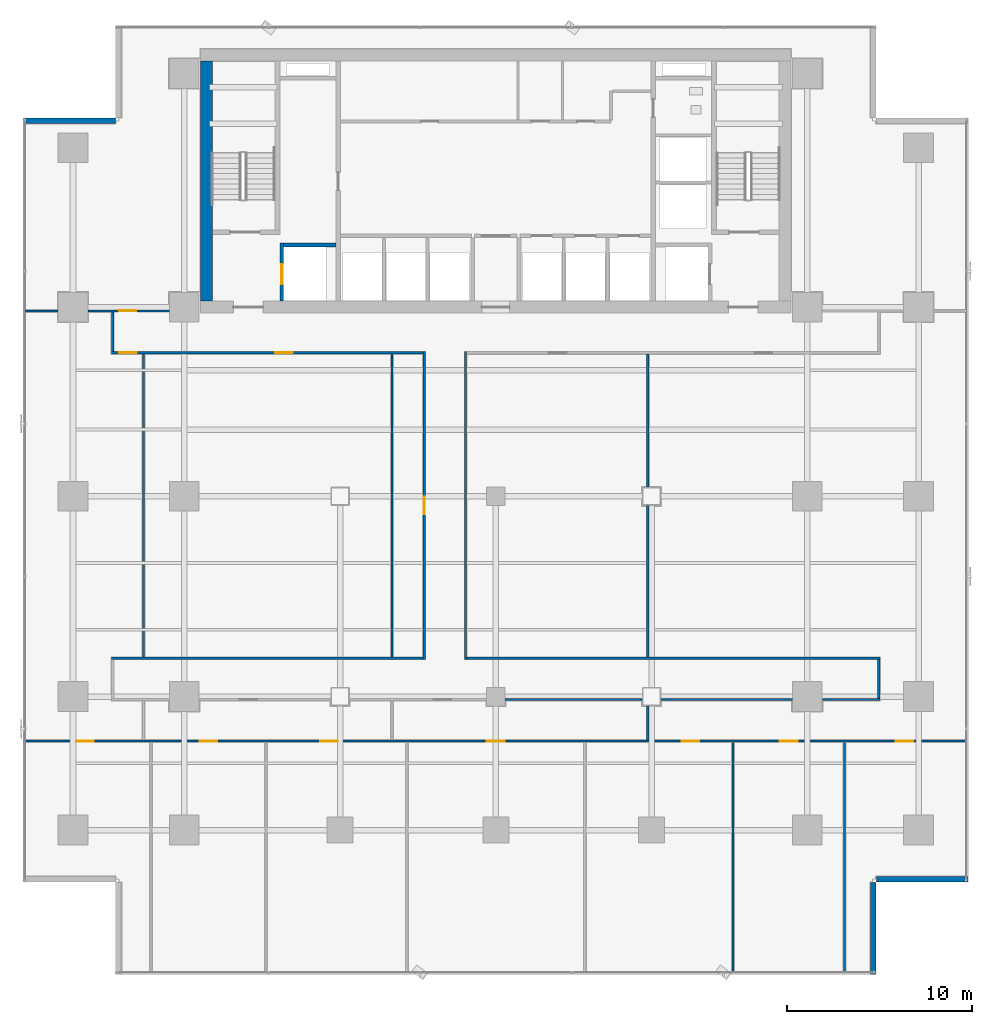
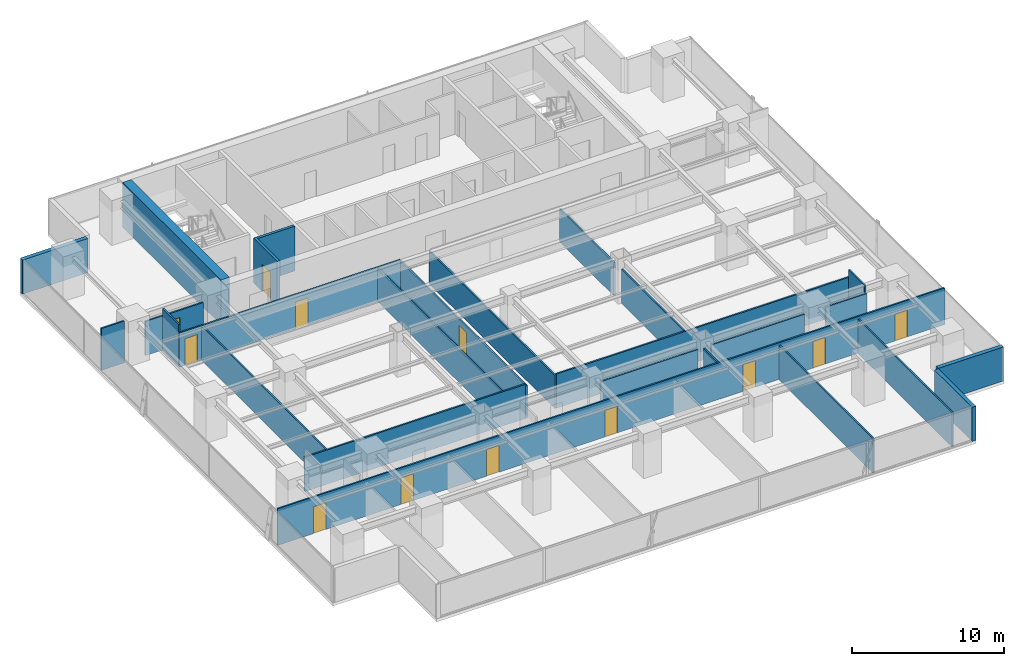
# One storey, part 28 of 37: 26 walls, 12 doors, 12 openings.
"""IFC4 building model written with IfcOpenShell, lengths in metres."""

from ifc_helpers import new_model, si_unit, direction, frame, frame_2d, origin, place, context, subcontext, project, spatial, rectangle, extrude, source, transform, mapped, material, layer, layer_set, type_object, element, fill, save


model = new_model("IFC4")

# Units and contexts
model_context = context("Model", 3, precision=1e-05, world=origin(), true_north=direction((0.0, 1.0)))
body_context = subcontext(model_context, "Body", "Model", "MODEL_VIEW")
ifc_project = project(units=[si_unit("LENGTHUNIT", "METRE"), si_unit("AREAUNIT", "SQUARE_METRE"), si_unit("VOLUMEUNIT", "CUBIC_METRE"), si_unit("PLANEANGLEUNIT", "RADIAN"), si_unit("MASSUNIT", "GRAM", prefix="KILO")], contexts=[model_context])

# Site, building, storey
site_placement = place(None, origin())
site = spatial("IfcSite", under=ifc_project, at=site_placement, CompositionType="ELEMENT")
building_placement = place(site_placement, origin())
building = spatial("IfcBuilding", under=site, at=building_placement, Name="Sumidabori Civic Tower", CompositionType="ELEMENT")
storey_placement = place(building_placement, frame((0.0, 0.0, 81.199951171875)))
storey = spatial("IfcBuildingStorey", under=building, at=storey_placement, Name="L20", CompositionType="ELEMENT", Elevation=81.199951171875)

# Walls
ifc_material_1 = material(Name="Concrete C50/60", Category="concrete")
ifc_layer_1 = layer(ifc_material_1, 0.199951171875, Name="Concrete C50/60")
ifc_layer_set_1 = layer_set([ifc_layer_1], Name="Concrete C50/60")
wall_type_1 = type_object("IfcWallType", Name="WL-SHAFT-200", PredefinedType="SHEAR", material=ifc_layer_set_1)
shared_shape_1 = source(origin(), body_context, "Body", "SweptSolid", [
    extrude(rectangle(XDim=2.824951171875, YDim=0.199951171875, at=frame_2d((1.41259765625, 0.0))), origin(), (0.0, 0.0, 1.0), 3.60009765625),
])
wall_1_placement = place(storey_placement, frame((-11.449951171875, 13.550048828125, 0.0), z_axis=(0.0, 0.0, 1.0), x_axis=(1.0, 0.0, 0.0)))
element("IfcWall", 1, at=wall_1_placement, inside=storey, type_object=wall_type_1, Name="Core Shear Wall L20 EL1-N", PredefinedType="SHEAR", context=body_context, shape_type="MappedRepresentation", body=[
    mapped(shared_shape_1, transform((0.0, 0.0, 0.0), x_axis=(1.0, 0.0, 0.0), y_axis=(0.0, 1.0, 0.0), z_axis=(0.0, 0.0, 1.0), scale=1.0)),
])
ifc_material_2 = material(Name="Concrete C60/75", Category="concrete")
ifc_layer_2 = layer(ifc_material_2, 0.64990234375, Name="Concrete C60/75")
ifc_layer_set_2 = layer_set([ifc_layer_2], Name="Concrete C60/75")
wall_type_2 = type_object("IfcWallType", Name="WL-CORE-650", PredefinedType="SHEAR", material=ifc_layer_set_2)
shared_shape_2 = source(origin(), body_context, "Body", "SweptSolid", [
    extrude(rectangle(XDim=12.9501953125, YDim=0.64990234375, at=frame_2d((6.47509765625, 0.0))), origin(), (0.0, 0.0, 1.0), 3.60009765625),
])
wall_2_placement = place(storey_placement, frame((-15.60009765625, 10.52490234375, 0.0), z_axis=(0.0, 0.0, 1.0), x_axis=(0.0, 1.0, 0.0)))
element("IfcWall", 2, at=wall_2_placement, inside=storey, type_object=wall_type_2, Name="Core Shear Wall L20 W", PredefinedType="SHEAR", context=body_context, shape_type="MappedRepresentation", body=[
    mapped(shared_shape_2, transform((0.0, 0.0, 0.0), x_axis=(1.0, 0.0, 0.0), y_axis=(0.0, 1.0, 0.0), z_axis=(0.0, 0.0, 1.0), scale=1.0)),
])

# Wall, opening, door
shared_shape_3 = source(origin(), body_context, "Body", "SweptSolid", [
    extrude(rectangle(XDim=3.125, YDim=0.199951171875, at=frame_2d((1.5625, 0.0))), origin(), (0.0, 0.0, 1.0), 3.60009765625),
])
wall_3_placement = place(storey_placement, frame((-11.550048828125, 10.52490234375, 0.0), z_axis=(0.0, 0.0, 1.0), x_axis=(0.0, 1.0, 0.0)))
wall_3 = element("IfcWall", 3, at=wall_3_placement, inside=storey, type_object=wall_type_1, Name="Core Shear Wall L20 EL1-W", PredefinedType="SHEAR", context=body_context, shape_type="MappedRepresentation", body=[
    mapped(shared_shape_3, transform((0.0, 0.0, 0.0), x_axis=(1.0, 0.0, 0.0), y_axis=(0.0, 1.0, 0.0), z_axis=(0.0, 0.0, 1.0), scale=1.0)),
])
opening_1_placement = place(wall_3_placement, frame((0.89990234375, 0.0, 0.0)))
opening_1 = element("IfcOpeningElement", 4, at=opening_1_placement, cuts=wall_3, Name="Opening LD-2", PredefinedType="OPENING", context=body_context, shape_type="SweptSolid", body=[
    extrude(rectangle(XDim=1.10009765625, YDim=2.14990234375, at=frame_2d((0.550048828125, 1.074951171875))), frame((0.0, 0.11181640625, 0.0), z_axis=(0.0, -1.0, 0.0), x_axis=(1.0, 0.0, 0.0)), (0.0, 0.0, 1.0), 0.223876953125),
])
ifc_material_3 = material(Name="Stainless Steel Hairline Finish", Category="steel")
door_type_1 = type_object("IfcDoorType", Name="DR-LD2", OperationType="DOUBLE_DOOR_SLIDING", PredefinedType="DOOR", material=ifc_material_3)
shared_shape_4 = source(origin(), body_context, "Body", "SweptSolid", [
    extrude(rectangle(XDim=1.10009765625, YDim=2.14990234375, at=frame_2d((0.550048828125, 1.074951171875))), frame((0.0, 0.02490234375, 0.0), z_axis=(0.0, -1.0, 0.0), x_axis=(1.0, 0.0, 0.0)), (0.0, 0.0, 1.0), 0.050048828125),
])
door_1_placement = place(opening_1_placement, origin())
door_1 = element("IfcDoor", 5, at=door_1_placement, inside=storey, type_object=door_type_1, Name="Door DR:L20:LD-EL1", OperationType="DOUBLE_DOOR_SLIDING", OverallHeight=2.14990234375, OverallWidth=1.10009765625, PredefinedType="DOOR", context=body_context, shape_type="MappedRepresentation", body=[
    mapped(shared_shape_4, transform((0.0, 0.0, 0.0), x_axis=(1.0, 0.0, 0.0), y_axis=(0.0, 1.0, 0.0), z_axis=(0.0, 0.0, 1.0), scale=1.0)),
])
fill(opening_1, door_1)

# Walls
ifc_material_4 = material(Name="Precast concrete C40/50", Category="concrete")
ifc_layer_3 = layer(ifc_material_4, 0.300048828125, Name="Precast concrete C40/50")
ifc_layer_set_3 = layer_set([ifc_layer_3], Name="Precast concrete C40/50")
wall_type_3 = type_object("IfcWallType", Name="WL-EXT-POD300", PredefinedType="STANDARD", material=ifc_layer_set_3)
shared_shape_5 = source(origin(), body_context, "Body", "SweptSolid", [
    extrude(rectangle(XDim=4.9599609375, YDim=0.300048828125, at=frame_2d((2.47998046875, 0.0))), origin(), (0.0, 0.0, 1.0), 2.739990234375),
])
for number, where, z_axis, x_axis, name in (
    (6, (20.35009765625, -25.780029296875, 0.0), (0.0, 0.0, 1.0), (0.0, 1.0, 0.0), "Notched Corner Spandrel Band L20-02"),
    (7, (20.52001953125, -20.64990234375, 0.0), (0.0, 0.0, 1.0), (1.0, 0.0, 0.0), "Notched Corner Spandrel Band L20-03"),
    (8, (-20.52001953125, 20.25, 0.0), (0.0, 0.0, 1.0), (-1.0, 0.0, 0.0), "Notched Corner Spandrel Band L20-09"),
):
    element("IfcWall", number, at=place(storey_placement, frame(where, z_axis=z_axis, x_axis=x_axis)), inside=storey, type_object=wall_type_3, Name=name, PredefinedType="STANDARD", context=body_context, shape_type="MappedRepresentation", body=[
        mapped(shared_shape_5, transform((0.0, 0.0, 0.0), x_axis=(1.0, 0.0, 0.0), y_axis=(0.0, 1.0, 0.0), z_axis=(0.0, 0.0, 1.0), scale=1.0)),
    ])
ifc_material_5 = material(Name="Gypsum Plasterboard Acoustic Partition")
ifc_layer_4 = layer(ifc_material_5, 0.1201171875, Name="Gypsum Plasterboard Acoustic Partition")
ifc_layer_set_4 = layer_set([ifc_layer_4], Name="Gypsum Plasterboard Acoustic Partition")
wall_type_4 = type_object("IfcWallType", Name="WL-PART-120", PredefinedType="PARTITIONING", material=ifc_layer_set_4)
shared_shape_6 = source(origin(), body_context, "Body", "SweptSolid", [
    extrude(rectangle(XDim=1.739990234375, YDim=0.1201171875, at=frame_2d((0.8701171875, 0.0))), origin(), (0.0, 0.0, 1.0), 3.360107421875),
])
wall_4_placement = place(storey_placement, frame((-25.35009765625, 10.0, 0.0), z_axis=(0.0, 0.0, 1.0), x_axis=(1.0, 0.0, 0.0)))
element("IfcWall", 9, at=wall_4_placement, inside=storey, type_object=wall_type_4, Name="Interior Partition WL:L20:FLK-NW-1", PredefinedType="PARTITIONING", context=body_context, shape_type="MappedRepresentation", body=[
    mapped(shared_shape_6, transform((0.0, 0.0, 0.0), x_axis=(1.0, 0.0, 0.0), y_axis=(0.0, 1.0, 0.0), z_axis=(0.0, 0.0, 1.0), scale=1.0)),
])

# Wall, opening, door
shared_shape_7 = source(origin(), body_context, "Body", "SweptSolid", [
    extrude(rectangle(XDim=4.3798828125, YDim=0.1201171875, at=frame_2d((2.18994140625, 0.0))), origin(), (0.0, 0.0, 1.0), 2.7451171875),
])
wall_5_placement = place(storey_placement, frame((-21.989990234375, 10.0, 0.0), z_axis=(0.0, 0.0, 1.0), x_axis=(1.0, 0.0, 0.0)))
wall_5 = element("IfcWall", 10, at=wall_5_placement, inside=storey, type_object=wall_type_4, Name="Interior Partition WL:L20:FLK-NW-2", PredefinedType="PARTITIONING", context=body_context, shape_type="MappedRepresentation", body=[
    mapped(shared_shape_7, transform((0.0, 0.0, 0.0), x_axis=(1.0, 0.0, 0.0), y_axis=(0.0, 1.0, 0.0), z_axis=(0.0, 0.0, 1.0), scale=1.0)),
])
opening_2_placement = place(wall_5_placement, frame((1.695068359375, 0.0, 0.0)))
opening_2 = element("IfcOpeningElement", 11, at=opening_2_placement, cuts=wall_5, Name="Opening DR-1", PredefinedType="OPENING", context=body_context, shape_type="SweptSolid", body=[
    extrude(rectangle(XDim=0.89990234375, YDim=2.14990234375, at=frame_2d((0.449951171875, 1.074951171875))), frame((0.0, 0.072021484375, 0.0), z_axis=(0.0, -1.0, 0.0), x_axis=(1.0, 0.0, 0.0)), (0.0, 0.0, 1.0), 0.14404296875),
])
ifc_material_6 = material(Name="Japanese Hinoki Timber", Category="wood")
door_type_2 = type_object("IfcDoorType", Name="DR-INT-900", OperationType="NOTDEFINED", PredefinedType="DOOR", material=ifc_material_6)
shared_shape_8 = source(origin(), body_context, "Body", "SweptSolid", [
    extrude(rectangle(XDim=0.89990234375, YDim=2.14990234375, at=frame_2d((0.449951171875, 1.074951171875))), frame((0.0, 0.02490234375, 0.0), z_axis=(0.0, -1.0, 0.0), x_axis=(1.0, 0.0, 0.0)), (0.0, 0.0, 1.0), 0.050048828125),
])
door_2_placement = place(opening_2_placement, origin())
door_2 = element("IfcDoor", 12, at=door_2_placement, inside=storey, type_object=door_type_2, Name="Door DR:L20:FLK-NE", OperationType="SINGLE_SWING_LEFT", OverallHeight=2.14990234375, OverallWidth=0.89990234375, PredefinedType="DOOR", context=body_context, shape_type="MappedRepresentation", body=[
    mapped(shared_shape_8, transform((0.0, 0.0, 0.0), x_axis=(1.0, 0.0, 0.0), y_axis=(0.0, 1.0, 0.0), z_axis=(0.0, 0.0, 1.0), scale=1.0)),
])
fill(opening_2, door_2)

# Wall, openings, doors
shared_shape_9 = source(origin(), body_context, "Body", "SweptSolid", [
    extrude(rectangle(XDim=16.800048828125, YDim=0.1201171875, at=frame_2d((8.39990234375, 0.0))), origin(), (0.0, 0.0, 1.0), 2.7451171875),
])
wall_6_placement = place(storey_placement, frame((-20.719970703125, 7.739990234375, 0.0), z_axis=(0.0, 0.0, 1.0), x_axis=(1.0, 0.0, 0.0)))
wall_6 = element("IfcWall", 13, at=wall_6_placement, inside=storey, type_object=wall_type_4, Name="Interior Partition WL:L20:CORR-SW", PredefinedType="PARTITIONING", context=body_context, shape_type="MappedRepresentation", body=[
    mapped(shared_shape_9, transform((0.0, 0.0, 0.0), x_axis=(1.0, 0.0, 0.0), y_axis=(0.0, 1.0, 0.0), z_axis=(0.0, 0.0, 1.0), scale=1.0)),
])
opening_3_placement = place(wall_6_placement, frame((8.824951171875, 0.0, 0.0)))
opening_3 = element("IfcOpeningElement", 14, at=opening_3_placement, cuts=wall_6, Name="Opening DR-2", PredefinedType="OPENING", context=body_context, shape_type="SweptSolid", body=[
    extrude(rectangle(XDim=0.949951171875, YDim=2.14990234375, at=frame_2d((0.47509765625, 1.074951171875))), frame((0.0, 0.072021484375, 0.0), z_axis=(0.0, -1.0, 0.0), x_axis=(1.0, 0.0, 0.0)), (0.0, 0.0, 1.0), 0.14404296875),
])
opening_4_placement = place(wall_6_placement, frame((0.4150390625, 0.0, 0.0)))
opening_4 = element("IfcOpeningElement", 15, at=opening_4_placement, cuts=wall_6, Name="Opening DR-2", PredefinedType="OPENING", context=body_context, shape_type="SweptSolid", body=[
    extrude(rectangle(XDim=0.949951171875, YDim=2.14990234375, at=frame_2d((0.47509765625, 1.074951171875))), frame((0.0, 0.072021484375, 0.0), z_axis=(0.0, -1.0, 0.0), x_axis=(1.0, 0.0, 0.0)), (0.0, 0.0, 1.0), 0.14404296875),
])
door_type_3 = type_object("IfcDoorType", Name="DR-INT-950", OperationType="NOTDEFINED", PredefinedType="DOOR", material=ifc_material_6)
shared_shape_10 = source(origin(), body_context, "Body", "SweptSolid", [
    extrude(rectangle(XDim=0.949951171875, YDim=2.14990234375, at=frame_2d((0.47509765625, 1.074951171875))), frame((0.0, 0.02490234375, 0.0), z_axis=(0.0, -1.0, 0.0), x_axis=(1.0, 0.0, 0.0)), (0.0, 0.0, 1.0), 0.050048828125),
])
door_3_placement = place(opening_3_placement, origin())
door_3 = element("IfcDoor", 16, at=door_3_placement, inside=storey, type_object=door_type_3, Name="Door DR:L20:D02", OperationType="SINGLE_SWING_RIGHT", OverallHeight=2.14990234375, OverallWidth=0.949951171875, PredefinedType="DOOR", context=body_context, shape_type="MappedRepresentation", body=[
    mapped(shared_shape_10, transform((0.0, 0.0, 0.0), x_axis=(1.0, 0.0, 0.0), y_axis=(0.0, 1.0, 0.0), z_axis=(0.0, 0.0, 1.0), scale=1.0)),
])
fill(opening_3, door_3)
door_4_placement = place(opening_4_placement, origin())
door_4 = element("IfcDoor", 17, at=door_4_placement, inside=storey, type_object=door_type_3, Name="Door DR:L20:D05", OperationType="SINGLE_SWING_LEFT", OverallHeight=2.14990234375, OverallWidth=0.949951171875, PredefinedType="DOOR", context=body_context, shape_type="MappedRepresentation", body=[
    mapped(shared_shape_10, transform((0.0, 0.0, 0.0), x_axis=(1.0, 0.0, 0.0), y_axis=(0.0, 1.0, 0.0), z_axis=(0.0, 0.0, 1.0), scale=1.0)),
])
fill(opening_4, door_4)

# Walls
wall_7_placement = place(storey_placement, frame((-20.719970703125, -8.739990234375, 0.0), z_axis=(0.0, 0.0, 1.0), x_axis=(1.0, 0.0, 0.0)))
element("IfcWall", 18, at=wall_7_placement, inside=storey, type_object=wall_type_4, Name="Interior Partition WL:L20:CORR-MNW", PredefinedType="PARTITIONING", context=body_context, shape_type="MappedRepresentation", body=[
    mapped(shared_shape_9, transform((0.0, 0.0, 0.0), x_axis=(1.0, 0.0, 0.0), y_axis=(0.0, 1.0, 0.0), z_axis=(0.0, 0.0, 1.0), scale=1.0)),
])
shared_shape_11 = source(origin(), body_context, "Body", "SweptSolid", [
    extrude(rectangle(XDim=22.300048828125, YDim=0.1201171875, at=frame_2d((11.14990234375, 0.0))), origin(), (0.0, 0.0, 1.0), 2.7451171875),
])
wall_8_placement = place(storey_placement, frame((-1.580078125, -8.739990234375, 0.0), z_axis=(0.0, 0.0, 1.0), x_axis=(1.0, 0.0, 0.0)))
element("IfcWall", 19, at=wall_8_placement, inside=storey, type_object=wall_type_4, Name="Interior Partition WL:L20:CORR-MNE", PredefinedType="PARTITIONING", context=body_context, shape_type="MappedRepresentation", body=[
    mapped(shared_shape_11, transform((0.0, 0.0, 0.0), x_axis=(1.0, 0.0, 0.0), y_axis=(0.0, 1.0, 0.0), z_axis=(0.0, 0.0, 1.0), scale=1.0)),
])
shared_shape_12 = source(origin(), body_context, "Body", "SweptSolid", [
    extrude(rectangle(XDim=3.10986328125, YDim=0.1201171875, at=frame_2d((1.554931640625, 0.0))), origin(), (0.0, 0.0, 1.0), 2.7451171875),
])
wall_9_placement = place(storey_placement, frame((17.610107421875, -10.9599609375, 0.0), z_axis=(0.0, 0.0, 1.0), x_axis=(1.0, 0.0, 0.0)))
element("IfcWall", 20, at=wall_9_placement, inside=storey, type_object=wall_type_4, Name="Interior Partition WL:L20:CORR-SS-6", PredefinedType="PARTITIONING", context=body_context, shape_type="MappedRepresentation", body=[
    mapped(shared_shape_12, transform((0.0, 0.0, 0.0), x_axis=(1.0, 0.0, 0.0), y_axis=(0.0, 1.0, 0.0), z_axis=(0.0, 0.0, 1.0), scale=1.0)),
])
shared_shape_13 = source(origin(), body_context, "Body", "SweptSolid", [
    extrude(rectangle(XDim=7.080078125, YDim=0.1201171875, at=frame_2d((3.5400390625, 0.0))), origin(), (0.0, 0.0, 1.0), 2.7451171875),
])
wall_10_placement = place(storey_placement, frame((8.909912109375, -10.9599609375, 0.0), z_axis=(0.0, 0.0, 1.0), x_axis=(1.0, 0.0, 0.0)))
element("IfcWall", 21, at=wall_10_placement, inside=storey, type_object=wall_type_4, Name="Interior Partition WL:L20:CORR-SS-5", PredefinedType="PARTITIONING", context=body_context, shape_type="MappedRepresentation", body=[
    mapped(shared_shape_13, transform((0.0, 0.0, 0.0), x_axis=(1.0, 0.0, 0.0), y_axis=(0.0, 1.0, 0.0), z_axis=(0.0, 0.0, 1.0), scale=1.0)),
])
shared_shape_14 = source(origin(), body_context, "Body", "SweptSolid", [
    extrude(rectangle(XDim=7.3798828125, YDim=0.1201171875, at=frame_2d((3.68994140625, 0.0))), origin(), (0.0, 0.0, 1.0), 2.7451171875),
])
wall_11_placement = place(storey_placement, frame((0.510009765625, -10.9599609375, 0.0), z_axis=(0.0, 0.0, 1.0), x_axis=(1.0, 0.0, 0.0)))
element("IfcWall", 22, at=wall_11_placement, inside=storey, type_object=wall_type_4, Name="Interior Partition WL:L20:CORR-SS-4", PredefinedType="PARTITIONING", context=body_context, shape_type="MappedRepresentation", body=[
    mapped(shared_shape_14, transform((0.0, 0.0, 0.0), x_axis=(1.0, 0.0, 0.0), y_axis=(0.0, 1.0, 0.0), z_axis=(0.0, 0.0, 1.0), scale=1.0)),
])
shared_shape_15 = source(origin(), body_context, "Body", "SweptSolid", [
    extrude(rectangle(XDim=2.130126953125, YDim=0.1201171875, at=frame_2d((1.06494140625, 0.0))), origin(), (0.0, 0.0, 1.0), 3.360107421875),
])
wall_12_placement = place(storey_placement, frame((-20.659912109375, 7.804931640625, 0.0), z_axis=(0.0, 0.0, 1.0), x_axis=(0.0, 1.0, 0.0)))
element("IfcWall", 23, at=wall_12_placement, inside=storey, type_object=wall_type_4, Name="Interior Partition WL:L20:CORR-VNW", PredefinedType="PARTITIONING", context=body_context, shape_type="MappedRepresentation", body=[
    mapped(shared_shape_15, transform((0.0, 0.0, 0.0), x_axis=(1.0, 0.0, 0.0), y_axis=(0.0, 1.0, 0.0), z_axis=(0.0, 0.0, 1.0), scale=1.0)),
])

# Wall, opening, door
shared_shape_16 = source(origin(), body_context, "Body", "SweptSolid", [
    extrude(rectangle(XDim=16.60009765625, YDim=0.1201171875, at=frame_2d((8.300048828125, 0.0))), origin(), (0.0, 0.0, 1.0), 2.64501953125),
])
wall_13_placement = place(storey_placement, frame((-3.860107421875, -8.800048828125, 0.0), z_axis=(0.0, 0.0, 1.0), x_axis=(0.0, 1.0, 0.0)))
wall_13 = element("IfcWall", 24, at=wall_13_placement, inside=storey, type_object=wall_type_4, Name="Interior Partition WL:L20:CORR-VSP-W", PredefinedType="PARTITIONING", context=body_context, shape_type="MappedRepresentation", body=[
    mapped(shared_shape_16, transform((0.0, 0.0, 0.0), x_axis=(1.0, 0.0, 0.0), y_axis=(0.0, 1.0, 0.0), z_axis=(0.0, 0.0, 1.0), scale=1.0)),
])
opening_5_placement = place(wall_13_placement, frame((7.824951171875, 0.0, 0.0)))
opening_5 = element("IfcOpeningElement", 25, at=opening_5_placement, cuts=wall_13, Name="Opening DR-2", PredefinedType="OPENING", context=body_context, shape_type="SweptSolid", body=[
    extrude(rectangle(XDim=0.949951171875, YDim=2.14990234375, at=frame_2d((0.47509765625, 1.074951171875))), frame((0.0, 0.072021484375, 0.0), z_axis=(0.0, -1.0, 0.0), x_axis=(1.0, 0.0, 0.0)), (0.0, 0.0, 1.0), 0.14404296875),
])
door_5_placement = place(opening_5_placement, origin())
door_5 = element("IfcDoor", 26, at=door_5_placement, inside=storey, type_object=door_type_3, Name="Door DR:L20:D03", OperationType="SINGLE_SWING_LEFT", OverallHeight=2.14990234375, OverallWidth=0.949951171875, PredefinedType="DOOR", context=body_context, shape_type="MappedRepresentation", body=[
    mapped(shared_shape_10, transform((0.0, 0.0, 0.0), x_axis=(1.0, 0.0, 0.0), y_axis=(0.0, 1.0, 0.0), z_axis=(0.0, 0.0, 1.0), scale=1.0)),
])
fill(opening_5, door_5)

# Walls
wall_14_placement = place(storey_placement, frame((-1.639892578125, -8.800048828125, 0.0), z_axis=(0.0, 0.0, 1.0), x_axis=(0.0, 1.0, 0.0)))
element("IfcWall", 27, at=wall_14_placement, inside=storey, type_object=wall_type_4, Name="Interior Partition WL:L20:CORR-VSP-E", PredefinedType="PARTITIONING", context=body_context, shape_type="MappedRepresentation", body=[
    mapped(shared_shape_16, transform((0.0, 0.0, 0.0), x_axis=(1.0, 0.0, 0.0), y_axis=(0.0, 1.0, 0.0), z_axis=(0.0, 0.0, 1.0), scale=1.0)),
])
shared_shape_17 = source(origin(), body_context, "Body", "SweptSolid", [
    extrude(rectangle(XDim=2.090087890625, YDim=0.1201171875, at=frame_2d((1.044921875, 0.0))), origin(), (0.0, 0.0, 1.0), 3.360107421875),
])
wall_15_placement = place(storey_placement, frame((20.659912109375, -10.89501953125, 0.0), z_axis=(0.0, 0.0, 1.0), x_axis=(0.0, 1.0, 0.0)))
element("IfcWall", 28, at=wall_15_placement, inside=storey, type_object=wall_type_4, Name="Interior Partition WL:L20:CORR-VSE", PredefinedType="PARTITIONING", context=body_context, shape_type="MappedRepresentation", body=[
    mapped(shared_shape_17, transform((0.0, 0.0, 0.0), x_axis=(1.0, 0.0, 0.0), y_axis=(0.0, 1.0, 0.0), z_axis=(0.0, 0.0, 1.0), scale=1.0)),
])

# Wall, openings, doors
shared_shape_18 = source(origin(), body_context, "Body", "SweptSolid", [
    extrude(rectangle(XDim=50.7001953125, YDim=0.1201171875, at=frame_2d((25.35009765625, 0.0))), origin(), (0.0, 0.0, 1.0), 2.945068359375),
])
wall_16_placement = place(storey_placement, frame((-25.35009765625, -13.199951171875, 0.0), z_axis=(0.0, 0.0, 1.0), x_axis=(1.0, 0.0, 0.0)))
wall_16 = element("IfcWall", 29, at=wall_16_placement, inside=storey, type_object=wall_type_4, Name="Interior Partition WL:L20:BAND-Y", PredefinedType="PARTITIONING", context=body_context, shape_type="MappedRepresentation", body=[
    mapped(shared_shape_18, transform((0.0, 0.0, 0.0), x_axis=(1.0, 0.0, 0.0), y_axis=(0.0, 1.0, 0.0), z_axis=(0.0, 0.0, 1.0), scale=1.0)),
])
opening_6_placement = place(wall_16_placement, frame((46.919921875, 0.0, 0.0)))
opening_6 = element("IfcOpeningElement", 30, at=opening_6_placement, cuts=wall_16, Name="Opening DR-2", PredefinedType="OPENING", context=body_context, shape_type="SweptSolid", body=[
    extrude(rectangle(XDim=0.949951171875, YDim=2.14990234375, at=frame_2d((0.47509765625, 1.074951171875))), frame((0.0, 0.072021484375, 0.0), z_axis=(0.0, -1.0, 0.0), x_axis=(1.0, 0.0, 0.0)), (0.0, 0.0, 1.0), 0.14404296875),
])
opening_7_placement = place(wall_16_placement, frame((2.72998046875, 0.0, 0.0)))
opening_7 = element("IfcOpeningElement", 31, at=opening_7_placement, cuts=wall_16, Name="Opening DR-2", PredefinedType="OPENING", context=body_context, shape_type="SweptSolid", body=[
    extrude(rectangle(XDim=0.949951171875, YDim=2.14990234375, at=frame_2d((0.47509765625, 1.074951171875))), frame((0.0, 0.072021484375, 0.0), z_axis=(0.0, -1.0, 0.0), x_axis=(1.0, 0.0, 0.0)), (0.0, 0.0, 1.0), 0.14404296875),
])
opening_8_placement = place(wall_16_placement, frame((9.375, 0.0, 0.0)))
opening_8 = element("IfcOpeningElement", 32, at=opening_8_placement, cuts=wall_16, Name="Opening DR-2", PredefinedType="OPENING", context=body_context, shape_type="SweptSolid", body=[
    extrude(rectangle(XDim=0.949951171875, YDim=2.14990234375, at=frame_2d((0.47509765625, 1.074951171875))), frame((0.0, 0.072021484375, 0.0), z_axis=(0.0, -1.0, 0.0), x_axis=(1.0, 0.0, 0.0)), (0.0, 0.0, 1.0), 0.14404296875),
])
opening_9_placement = place(wall_16_placement, frame((15.875, 0.0, 0.0)))
opening_9 = element("IfcOpeningElement", 33, at=opening_9_placement, cuts=wall_16, Name="Opening DR-2", PredefinedType="OPENING", context=body_context, shape_type="SweptSolid", body=[
    extrude(rectangle(XDim=0.949951171875, YDim=2.14990234375, at=frame_2d((0.47509765625, 1.074951171875))), frame((0.0, 0.072021484375, 0.0), z_axis=(0.0, -1.0, 0.0), x_axis=(1.0, 0.0, 0.0)), (0.0, 0.0, 1.0), 0.14404296875),
])
opening_10_placement = place(wall_16_placement, frame((24.875, 0.0, 0.0)))
opening_10 = element("IfcOpeningElement", 34, at=opening_10_placement, cuts=wall_16, Name="Opening DR-2", PredefinedType="OPENING", context=body_context, shape_type="SweptSolid", body=[
    extrude(rectangle(XDim=0.949951171875, YDim=2.14990234375, at=frame_2d((0.47509765625, 1.074951171875))), frame((0.0, 0.072021484375, 0.0), z_axis=(0.0, -1.0, 0.0), x_axis=(1.0, 0.0, 0.0)), (0.0, 0.0, 1.0), 0.14404296875),
])
opening_11_placement = place(wall_16_placement, frame((35.375, 0.0, 0.0)))
opening_11 = element("IfcOpeningElement", 35, at=opening_11_placement, cuts=wall_16, Name="Opening DR-2", PredefinedType="OPENING", context=body_context, shape_type="SweptSolid", body=[
    extrude(rectangle(XDim=0.949951171875, YDim=2.14990234375, at=frame_2d((0.47509765625, 1.074951171875))), frame((0.0, 0.072021484375, 0.0), z_axis=(0.0, -1.0, 0.0), x_axis=(1.0, 0.0, 0.0)), (0.0, 0.0, 1.0), 0.14404296875),
])
opening_12_placement = place(wall_16_placement, frame((40.675048828125, 0.0, 0.0)))
opening_12 = element("IfcOpeningElement", 36, at=opening_12_placement, cuts=wall_16, Name="Opening DR-2", PredefinedType="OPENING", context=body_context, shape_type="SweptSolid", body=[
    extrude(rectangle(XDim=0.949951171875, YDim=2.14990234375, at=frame_2d((0.47509765625, 1.074951171875))), frame((0.0, 0.072021484375, 0.0), z_axis=(0.0, -1.0, 0.0), x_axis=(1.0, 0.0, 0.0)), (0.0, 0.0, 1.0), 0.14404296875),
])
door_6_placement = place(opening_6_placement, origin())
door_6 = element("IfcDoor", 37, at=door_6_placement, inside=storey, type_object=door_type_3, Name="Door DR:L20:D09", OperationType="SINGLE_SWING_LEFT", OverallHeight=2.14990234375, OverallWidth=0.949951171875, PredefinedType="DOOR", context=body_context, shape_type="MappedRepresentation", body=[
    mapped(shared_shape_10, transform((0.0, 0.0, 0.0), x_axis=(1.0, 0.0, 0.0), y_axis=(0.0, 1.0, 0.0), z_axis=(0.0, 0.0, 1.0), scale=1.0)),
])
fill(opening_6, door_6)
door_7_placement = place(opening_7_placement, origin())
door_7 = element("IfcDoor", 38, at=door_7_placement, inside=storey, type_object=door_type_3, Name="Door DR:L20:D10", OperationType="SINGLE_SWING_RIGHT", OverallHeight=2.14990234375, OverallWidth=0.949951171875, PredefinedType="DOOR", context=body_context, shape_type="MappedRepresentation", body=[
    mapped(shared_shape_10, transform((0.0, 0.0, 0.0), x_axis=(1.0, 0.0, 0.0), y_axis=(0.0, 1.0, 0.0), z_axis=(0.0, 0.0, 1.0), scale=1.0)),
])
fill(opening_7, door_7)
door_8_placement = place(opening_8_placement, origin())
door_8 = element("IfcDoor", 39, at=door_8_placement, inside=storey, type_object=door_type_3, Name="Door DR:L20:D11", OperationType="SINGLE_SWING_LEFT", OverallHeight=2.14990234375, OverallWidth=0.949951171875, PredefinedType="DOOR", context=body_context, shape_type="MappedRepresentation", body=[
    mapped(shared_shape_10, transform((0.0, 0.0, 0.0), x_axis=(1.0, 0.0, 0.0), y_axis=(0.0, 1.0, 0.0), z_axis=(0.0, 0.0, 1.0), scale=1.0)),
])
fill(opening_8, door_8)
door_9_placement = place(opening_9_placement, origin())
door_9 = element("IfcDoor", 40, at=door_9_placement, inside=storey, type_object=door_type_3, Name="Door DR:L20:D12", OperationType="SINGLE_SWING_RIGHT", OverallHeight=2.14990234375, OverallWidth=0.949951171875, PredefinedType="DOOR", context=body_context, shape_type="MappedRepresentation", body=[
    mapped(shared_shape_10, transform((0.0, 0.0, 0.0), x_axis=(1.0, 0.0, 0.0), y_axis=(0.0, 1.0, 0.0), z_axis=(0.0, 0.0, 1.0), scale=1.0)),
])
fill(opening_9, door_9)
door_10_placement = place(opening_10_placement, origin())
door_10 = element("IfcDoor", 41, at=door_10_placement, inside=storey, type_object=door_type_3, Name="Door DR:L20:D13", OperationType="SINGLE_SWING_LEFT", OverallHeight=2.14990234375, OverallWidth=0.949951171875, PredefinedType="DOOR", context=body_context, shape_type="MappedRepresentation", body=[
    mapped(shared_shape_10, transform((0.0, 0.0, 0.0), x_axis=(1.0, 0.0, 0.0), y_axis=(0.0, 1.0, 0.0), z_axis=(0.0, 0.0, 1.0), scale=1.0)),
])
fill(opening_10, door_10)
door_11_placement = place(opening_11_placement, origin())
door_11 = element("IfcDoor", 42, at=door_11_placement, inside=storey, type_object=door_type_3, Name="Door DR:L20:D14", OperationType="SINGLE_SWING_RIGHT", OverallHeight=2.14990234375, OverallWidth=0.949951171875, PredefinedType="DOOR", context=body_context, shape_type="MappedRepresentation", body=[
    mapped(shared_shape_10, transform((0.0, 0.0, 0.0), x_axis=(1.0, 0.0, 0.0), y_axis=(0.0, 1.0, 0.0), z_axis=(0.0, 0.0, 1.0), scale=1.0)),
])
fill(opening_11, door_11)
door_12_placement = place(opening_12_placement, origin())
door_12 = element("IfcDoor", 43, at=door_12_placement, inside=storey, type_object=door_type_3, Name="Door DR:L20:D15", OperationType="SINGLE_SWING_LEFT", OverallHeight=2.14990234375, OverallWidth=0.949951171875, PredefinedType="DOOR", context=body_context, shape_type="MappedRepresentation", body=[
    mapped(shared_shape_10, transform((0.0, 0.0, 0.0), x_axis=(1.0, 0.0, 0.0), y_axis=(0.0, 1.0, 0.0), z_axis=(0.0, 0.0, 1.0), scale=1.0)),
])
fill(opening_12, door_12)

# Walls
shared_shape_19 = source(origin(), body_context, "Body", "SweptSolid", [
    extrude(rectangle(XDim=16.35009765625, YDim=0.1201171875, at=frame_2d((8.175048828125, 0.0))), origin(), (0.0, 0.0, 1.0), 2.7451171875),
])
wall_17_placement = place(storey_placement, frame((-19.0, -8.675048828125, 0.0), z_axis=(0.0, 0.0, 1.0), x_axis=(0.0, 1.0, 0.0)))
element("IfcWall", 44, at=wall_17_placement, inside=storey, type_object=wall_type_4, Name="Interior Partition WL:L20:VX-N1-2", PredefinedType="PARTITIONING", context=body_context, shape_type="MappedRepresentation", body=[
    mapped(shared_shape_19, transform((0.0, 0.0, 0.0), x_axis=(1.0, 0.0, 0.0), y_axis=(0.0, 1.0, 0.0), z_axis=(0.0, 0.0, 1.0), scale=1.0)),
])
shared_shape_20 = source(origin(), body_context, "Body", "SweptSolid", [
    extrude(rectangle(XDim=16.35009765625, YDim=0.1201171875, at=frame_2d((8.175048828125, 0.0))), origin(), (0.0, 0.0, 1.0), 2.64501953125),
])
wall_18_placement = place(storey_placement, frame((-5.60009765625, -8.675048828125, 0.0), z_axis=(0.0, 0.0, 1.0), x_axis=(0.0, 1.0, 0.0)))
element("IfcWall", 45, at=wall_18_placement, inside=storey, type_object=wall_type_4, Name="Interior Partition WL:L20:VX-N2-2", PredefinedType="PARTITIONING", context=body_context, shape_type="MappedRepresentation", body=[
    mapped(shared_shape_20, transform((0.0, 0.0, 0.0), x_axis=(1.0, 0.0, 0.0), y_axis=(0.0, 1.0, 0.0), z_axis=(0.0, 0.0, 1.0), scale=1.0)),
])
shared_shape_21 = source(origin(), body_context, "Body", "SweptSolid", [
    extrude(rectangle(XDim=1.824951171875, YDim=0.1201171875, at=frame_2d((0.91259765625, 0.0))), origin(), (0.0, 0.0, 1.0), 2.945068359375),
])
wall_19_placement = place(storey_placement, frame((8.199951171875, -13.135009765625, 0.0), z_axis=(0.0, 0.0, 1.0), x_axis=(0.0, 1.0, 0.0)))
element("IfcWall", 46, at=wall_19_placement, inside=storey, type_object=wall_type_4, Name="Interior Partition WL:L20:VX-N3-1", PredefinedType="PARTITIONING", context=body_context, shape_type="MappedRepresentation", body=[
    mapped(shared_shape_21, transform((0.0, 0.0, 0.0), x_axis=(1.0, 0.0, 0.0), y_axis=(0.0, 1.0, 0.0), z_axis=(0.0, 0.0, 1.0), scale=1.0)),
])
shared_shape_22 = source(origin(), body_context, "Body", "SweptSolid", [
    extrude(rectangle(XDim=8.1650390625, YDim=0.1201171875, at=frame_2d((4.08251953125, 0.0))), origin(), (0.0, 0.0, 1.0), 2.7451171875),
])
wall_20_placement = place(storey_placement, frame((8.199951171875, -8.675048828125, 0.0), z_axis=(0.0, 0.0, 1.0), x_axis=(0.0, 1.0, 0.0)))
element("IfcWall", 47, at=wall_20_placement, inside=storey, type_object=wall_type_4, Name="Interior Partition WL:L20:VX-N3-2", PredefinedType="PARTITIONING", context=body_context, shape_type="MappedRepresentation", body=[
    mapped(shared_shape_22, transform((0.0, 0.0, 0.0), x_axis=(1.0, 0.0, 0.0), y_axis=(0.0, 1.0, 0.0), z_axis=(0.0, 0.0, 1.0), scale=1.0)),
])
shared_shape_23 = source(origin(), body_context, "Body", "SweptSolid", [
    extrude(rectangle(XDim=7.1650390625, YDim=0.1201171875, at=frame_2d((3.58251953125, 0.0))), origin(), (0.0, 0.0, 1.0), 2.64501953125),
])
wall_21_placement = place(storey_placement, frame((8.199951171875, 0.510009765625, 0.0), z_axis=(0.0, 0.0, 1.0), x_axis=(0.0, 1.0, 0.0)))
element("IfcWall", 48, at=wall_21_placement, inside=storey, type_object=wall_type_4, Name="Interior Partition WL:L20:VX-N3-3", PredefinedType="PARTITIONING", context=body_context, shape_type="MappedRepresentation", body=[
    mapped(shared_shape_23, transform((0.0, 0.0, 0.0), x_axis=(1.0, 0.0, 0.0), y_axis=(0.0, 1.0, 0.0), z_axis=(0.0, 0.0, 1.0), scale=1.0)),
])
shared_shape_24 = source(origin(), body_context, "Body", "SweptSolid", [
    extrude(rectangle(XDim=12.385009765625, YDim=0.1201171875, at=frame_2d((6.1923828125, 0.0))), origin(), (0.0, 0.0, 1.0), 2.7451171875),
])
for number, where, z_axis, x_axis, name in (
    (49, (12.800048828125, -25.64990234375, 0.0), (0.0, 0.0, 1.0), (0.0, 1.0, 0.0), "Interior Partition WL:L20:VX-S5"),
    (50, (18.800048828125, -25.64990234375, 0.0), (0.0, 0.0, 1.0), (0.0, 1.0, 0.0), "Interior Partition WL:L20:VX-S6"),
):
    element("IfcWall", number, at=place(storey_placement, frame(where, z_axis=z_axis, x_axis=x_axis)), inside=storey, type_object=wall_type_4, Name=name, PredefinedType="PARTITIONING", context=body_context, shape_type="MappedRepresentation", body=[
        mapped(shared_shape_24, transform((0.0, 0.0, 0.0), x_axis=(1.0, 0.0, 0.0), y_axis=(0.0, 1.0, 0.0), z_axis=(0.0, 0.0, 1.0), scale=1.0)),
    ])

save(model, "model.ifc")
